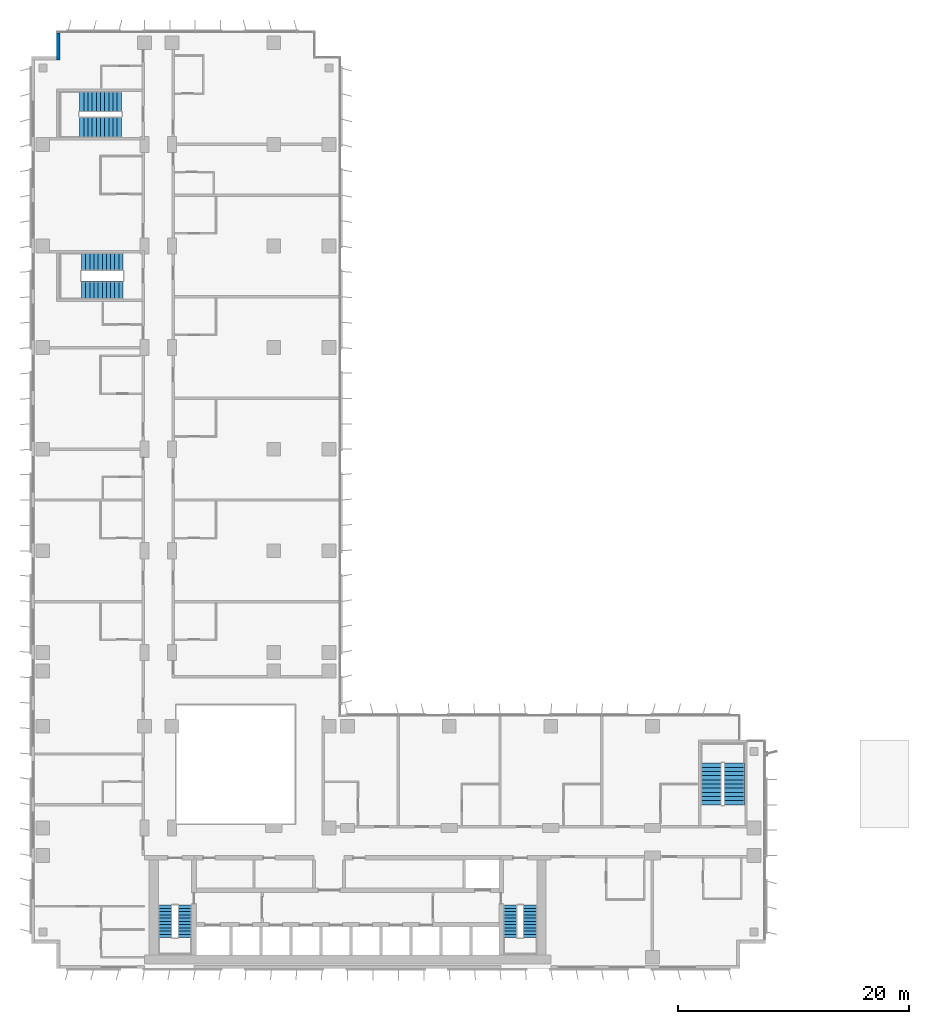
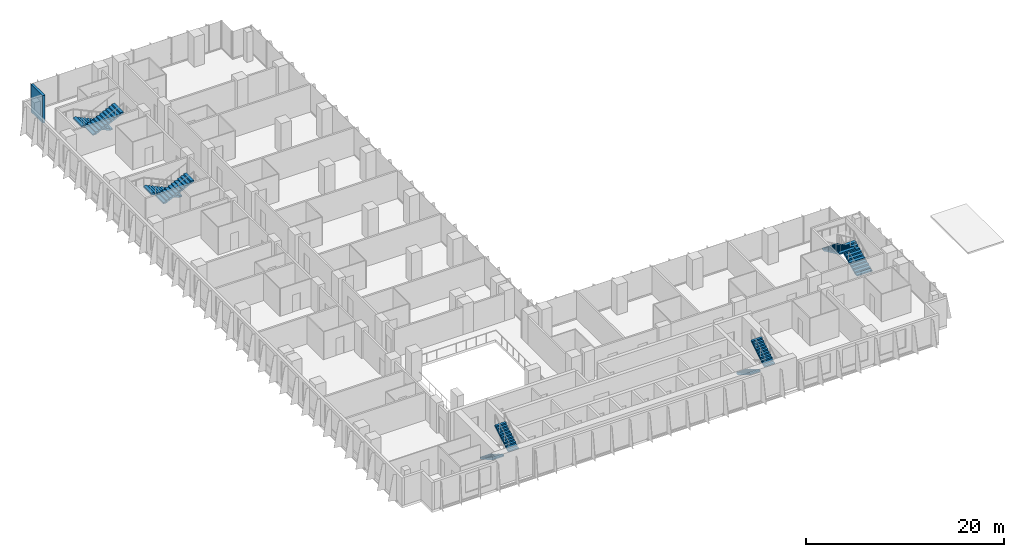
# One storey, part 18 of 22: 10 stair flights, 1 wall, 5 elements without a shape of their own.
"""IFC4 building model written with IfcOpenShell, lengths in metres."""

from ifc_helpers import new_model, si_unit, direction, frame, frame_2d, origin, place, context, subcontext, project, spatial, polyline, rectangle, outline, extrude, material, layer, layer_set, type_object, element, aggregate, save


model = new_model("IFC4")

# Units and contexts
model_context = context("Model", 3, precision=1e-05, world=origin(), true_north=direction((0.0, 1.0)))
body_context = subcontext(model_context, "Body", "Model", "MODEL_VIEW")
ifc_project = project(units=[si_unit("LENGTHUNIT", "METRE"), si_unit("AREAUNIT", "SQUARE_METRE"), si_unit("VOLUMEUNIT", "CUBIC_METRE"), si_unit("PLANEANGLEUNIT", "RADIAN"), si_unit("MASSUNIT", "GRAM", prefix="KILO")], contexts=[model_context])

# Site, building, storey
site_placement = place(None, origin())
site = spatial("IfcSite", under=ifc_project, at=site_placement, CompositionType="ELEMENT")
building_placement = place(site_placement, origin())
building = spatial("IfcBuilding", under=site, at=building_placement, Name="Kemantara Hotel Tower", CompositionType="ELEMENT")
storey_placement = place(building_placement, frame((0.0, 0.0, 87.10009765625)))
storey = spatial("IfcBuildingStorey", under=building, at=storey_placement, Name="L20", CompositionType="ELEMENT", Elevation=87.10009765625)

# Wall
ifc_material_1 = material(Name="Bronze anodised aluminium cladding on insulated steel stud wall", Category="steel")
ifc_layer = layer(ifc_material_1, 0.300048828125)
ifc_layer_set = layer_set([ifc_layer], Name="Bronze anodised aluminium cladding on insulated steel stud wall")
wall_type = type_object("IfcWallType", Name="BRONZE METAL-CLAD EXTERNAL WALL 300", PredefinedType="STANDARD", material=ifc_layer_set)
wall_placement = place(storey_placement, frame((2.35009765625, 81.050048828125, 0.0), z_axis=(0.0, 0.0, 1.0), x_axis=(0.0, -1.0, 0.0)))
element("IfcWall", 1, at=wall_placement, inside=storey, type_object=wall_type, Name="EXTERNAL WALL L20 T2-R02", PredefinedType="STANDARD", context=body_context, shape_type="SweptSolid", body=[
    extrude(rectangle(XDim=2.35009765625, YDim=0.300048828125, at=frame_2d((1.175048828125, 0.0))), origin(), (0.0, 0.0, 1.0), 3.39990234375),
])

# Stair, stair flights
ifc_material_2 = material(Name="Concrete fc 40 MPa", Category="concrete")
stair_type_1 = type_object("IfcStairType", Name="Stair 1200 wide 22 risers of 168 x 280 mm", PredefinedType="HALF_TURN_STAIR", material=ifc_material_2)
stair_1_placement = place(storey_placement, origin())
stair_1 = element("IfcStair", 2, at=stair_1_placement, inside=storey, type_object=stair_type_1, Name="L20 Exit stair ST1", PredefinedType="HALF_TURN_STAIR")
stair_flight_type_1 = type_object("IfcStairFlightType", Name="Stair flight 1200 wide 168 x 280 mm", PredefinedType="STRAIGHT", material=ifc_material_2)
stair_flight_1_placement = place(storey_placement, frame((11.60009765625, 5.5, 0.0), z_axis=(0.0, 0.0, 1.0), x_axis=(0.0, -1.0, 0.0)))
stair_flight_1 = element("IfcStairFlight", 3, at=stair_flight_1_placement, type_object=stair_flight_type_1, Name="ST1 flight 1", NumberOfRisers=11, NumberOfTreads=10, PredefinedType="STRAIGHT", RiserHeight=0.168181818, TreadLength=0.28, context=body_context, shape_type="SweptSolid", body=[
    extrude(outline(polyline([(0.0, 0.0), (0.0, 0.168212890625), (0.280029296875, 0.168212890625), (0.280029296875, 0.33642578125), (0.56005859375, 0.33642578125), (0.56005859375, 0.504638671875), (0.840087890625, 0.504638671875), (0.840087890625, 0.672607421875), (1.1201171875, 0.672607421875), (1.1201171875, 0.8408203125), (1.39990234375, 0.8408203125), (1.39990234375, 1.009033203125), (1.679931640625, 1.009033203125), (1.679931640625, 1.17724609375), (1.9599609375, 1.17724609375), (1.9599609375, 1.345458984375), (2.239990234375, 1.345458984375), (2.239990234375, 1.513671875), (2.52001953125, 1.513671875), (2.52001953125, 1.681884765625), (2.800048828125, 1.681884765625), (2.800048828125, 1.85009765625), (2.800048828125, 1.5068359375), (0.291015625, 0.0), (0.0, 0.0)])), frame((0.0, 0.60009765625, 0.0), z_axis=(0.0, -1.0, 0.0), x_axis=(1.0, 0.0, 0.0)), (0.0, 0.0, 1.0), 1.199951171875),
])
stair_flight_2_placement = place(storey_placement, frame((13.300048828125, 2.699951171875, 1.849853515625), z_axis=(0.0, 0.0, 1.0), x_axis=(0.0, 1.0, 0.0)))
stair_flight_2 = element("IfcStairFlight", 4, at=stair_flight_2_placement, type_object=stair_flight_type_1, Name="ST1 flight 2", NumberOfRisers=11, NumberOfTreads=10, PredefinedType="STRAIGHT", RiserHeight=0.168181818, TreadLength=0.28, context=body_context, shape_type="SweptSolid", body=[
    extrude(outline(polyline([(0.0, 0.0), (0.0, 0.168212890625), (0.280029296875, 0.168212890625), (0.280029296875, 0.33642578125), (0.56005859375, 0.33642578125), (0.56005859375, 0.504638671875), (0.840087890625, 0.504638671875), (0.840087890625, 0.672607421875), (1.1201171875, 0.672607421875), (1.1201171875, 0.8408203125), (1.39990234375, 0.8408203125), (1.39990234375, 1.009033203125), (1.679931640625, 1.009033203125), (1.679931640625, 1.17724609375), (1.9599609375, 1.17724609375), (1.9599609375, 1.345458984375), (2.239990234375, 1.345458984375), (2.239990234375, 1.513671875), (2.52001953125, 1.513671875), (2.52001953125, 1.681884765625), (2.800048828125, 1.681884765625), (2.800048828125, 1.85009765625), (2.800048828125, 1.5068359375), (0.291015625, 0.0), (0.0, 0.0)])), frame((0.0, 0.60009765625, 0.0), z_axis=(0.0, -1.0, 0.0), x_axis=(1.0, 0.0, 0.0)), (0.0, 0.0, 1.0), 1.199951171875),
])
aggregate(stair_1, [stair_flight_1, stair_flight_2])

stair_2_placement = place(storey_placement, origin())
stair_2 = element("IfcStair", 5, at=stair_2_placement, inside=storey, type_object=stair_type_1, Name="L20 Exit stair ST2", PredefinedType="HALF_TURN_STAIR")
stair_flight_3_placement = place(storey_placement, frame((41.5, 5.5, 0.0), z_axis=(0.0, 0.0, 1.0), x_axis=(0.0, -1.0, 0.0)))
stair_flight_3 = element("IfcStairFlight", 6, at=stair_flight_3_placement, type_object=stair_flight_type_1, Name="ST2 flight 1", NumberOfRisers=11, NumberOfTreads=10, PredefinedType="STRAIGHT", RiserHeight=0.168181818, TreadLength=0.28, context=body_context, shape_type="SweptSolid", body=[
    extrude(outline(polyline([(0.0, 0.0), (0.0, 0.168212890625), (0.280029296875, 0.168212890625), (0.280029296875, 0.33642578125), (0.56005859375, 0.33642578125), (0.56005859375, 0.504638671875), (0.840087890625, 0.504638671875), (0.840087890625, 0.672607421875), (1.1201171875, 0.672607421875), (1.1201171875, 0.8408203125), (1.39990234375, 0.8408203125), (1.39990234375, 1.009033203125), (1.679931640625, 1.009033203125), (1.679931640625, 1.17724609375), (1.9599609375, 1.17724609375), (1.9599609375, 1.345458984375), (2.239990234375, 1.345458984375), (2.239990234375, 1.513671875), (2.52001953125, 1.513671875), (2.52001953125, 1.681884765625), (2.800048828125, 1.681884765625), (2.800048828125, 1.85009765625), (2.800048828125, 1.5068359375), (0.291015625, 0.0), (0.0, 0.0)])), frame((0.0, 0.60009765625, 0.0), z_axis=(0.0, -1.0, 0.0), x_axis=(1.0, 0.0, 0.0)), (0.0, 0.0, 1.0), 1.199951171875),
])
stair_flight_4_placement = place(storey_placement, frame((43.199951171875, 2.699951171875, 1.849853515625), z_axis=(0.0, 0.0, 1.0), x_axis=(0.0, 1.0, 0.0)))
stair_flight_4 = element("IfcStairFlight", 7, at=stair_flight_4_placement, type_object=stair_flight_type_1, Name="ST2 flight 2", NumberOfRisers=11, NumberOfTreads=10, PredefinedType="STRAIGHT", RiserHeight=0.168181818, TreadLength=0.28, context=body_context, shape_type="SweptSolid", body=[
    extrude(outline(polyline([(0.0, 0.0), (0.0, 0.168212890625), (0.280029296875, 0.168212890625), (0.280029296875, 0.33642578125), (0.56005859375, 0.33642578125), (0.56005859375, 0.504638671875), (0.840087890625, 0.504638671875), (0.840087890625, 0.672607421875), (1.1201171875, 0.672607421875), (1.1201171875, 0.8408203125), (1.39990234375, 0.8408203125), (1.39990234375, 1.009033203125), (1.679931640625, 1.009033203125), (1.679931640625, 1.17724609375), (1.9599609375, 1.17724609375), (1.9599609375, 1.345458984375), (2.239990234375, 1.345458984375), (2.239990234375, 1.513671875), (2.52001953125, 1.513671875), (2.52001953125, 1.681884765625), (2.800048828125, 1.681884765625), (2.800048828125, 1.85009765625), (2.800048828125, 1.5068359375), (0.291015625, 0.0), (0.0, 0.0)])), frame((0.0, 0.60009765625, 0.0), z_axis=(0.0, -1.0, 0.0), x_axis=(1.0, 0.0, 0.0)), (0.0, 0.0, 1.0), 1.199951171875),
])
aggregate(stair_2, [stair_flight_3, stair_flight_4])

stair_type_2 = type_object("IfcStairType", Name="Stair 1550 wide 22 risers of 168 x 360 mm", PredefinedType="HALF_TURN_STAIR", material=ifc_material_2)
stair_3_placement = place(storey_placement, origin())
stair_3 = element("IfcStair", 8, at=stair_3_placement, inside=storey, type_object=stair_type_2, Name="L20 Exit stair ST4", PredefinedType="HALF_TURN_STAIR")
stair_flight_type_2 = type_object("IfcStairFlightType", Name="Stair flight 1550 wide 168 x 360 mm", PredefinedType="STRAIGHT", material=ifc_material_2)
stair_flight_5_placement = place(storey_placement, frame((7.949951171875, 61.22509765625, 0.0), z_axis=(0.0, 0.0, 1.0), x_axis=(-1.0, 0.0, 0.0)))
stair_flight_5 = element("IfcStairFlight", 9, at=stair_flight_5_placement, type_object=stair_flight_type_2, Name="ST4 flight 1", NumberOfRisers=11, NumberOfTreads=10, PredefinedType="STRAIGHT", RiserHeight=0.168181818, TreadLength=0.36, context=body_context, shape_type="SweptSolid", body=[
    extrude(outline(polyline([(0.0, 0.0), (0.0, 0.168212890625), (0.360107421875, 0.168212890625), (0.360107421875, 0.33642578125), (0.719970703125, 0.33642578125), (0.719970703125, 0.504638671875), (1.080078125, 0.504638671875), (1.080078125, 0.672607421875), (1.43994140625, 0.672607421875), (1.43994140625, 0.8408203125), (1.800048828125, 0.8408203125), (1.800048828125, 1.009033203125), (2.159912109375, 1.009033203125), (2.159912109375, 1.17724609375), (2.52001953125, 1.17724609375), (2.52001953125, 1.345458984375), (2.8798828125, 1.345458984375), (2.8798828125, 1.513671875), (3.239990234375, 1.513671875), (3.239990234375, 1.681884765625), (3.60009765625, 1.681884765625), (3.60009765625, 1.85009765625), (3.60009765625, 1.516357421875), (0.354248046875, 0.0), (0.0, 0.0)])), frame((0.0, 0.77490234375, 0.0), z_axis=(0.0, -1.0, 0.0), x_axis=(1.0, 0.0, 0.0)), (0.0, 0.0, 1.0), 1.550048828125),
])
stair_flight_6_placement = place(storey_placement, frame((4.35009765625, 58.77490234375, 1.849853515625), z_axis=(0.0, 0.0, 1.0), x_axis=(1.0, 0.0, 0.0)))
stair_flight_6 = element("IfcStairFlight", 10, at=stair_flight_6_placement, type_object=stair_flight_type_2, Name="ST4 flight 2", NumberOfRisers=11, NumberOfTreads=10, PredefinedType="STRAIGHT", RiserHeight=0.168181818, TreadLength=0.36, context=body_context, shape_type="SweptSolid", body=[
    extrude(outline(polyline([(0.0, 0.0), (0.0, 0.168212890625), (0.360107421875, 0.168212890625), (0.360107421875, 0.33642578125), (0.719970703125, 0.33642578125), (0.719970703125, 0.504638671875), (1.080078125, 0.504638671875), (1.080078125, 0.672607421875), (1.43994140625, 0.672607421875), (1.43994140625, 0.8408203125), (1.800048828125, 0.8408203125), (1.800048828125, 1.009033203125), (2.159912109375, 1.009033203125), (2.159912109375, 1.17724609375), (2.52001953125, 1.17724609375), (2.52001953125, 1.345458984375), (2.8798828125, 1.345458984375), (2.8798828125, 1.513671875), (3.239990234375, 1.513671875), (3.239990234375, 1.681884765625), (3.60009765625, 1.681884765625), (3.60009765625, 1.85009765625), (3.60009765625, 1.516357421875), (0.354248046875, 0.0), (0.0, 0.0)])), frame((0.0, 0.77490234375, 0.0), z_axis=(0.0, -1.0, 0.0), x_axis=(1.0, 0.0, 0.0)), (0.0, 0.0, 1.0), 1.550048828125),
])
aggregate(stair_3, [stair_flight_5, stair_flight_6])

stair_type_3 = type_object("IfcStairType", Name="Stair 1800 wide 22 risers of 168 x 360 mm", PredefinedType="HALF_TURN_STAIR", material=ifc_material_2)
stair_4_placement = place(storey_placement, origin())
stair_4 = element("IfcStair", 11, at=stair_4_placement, inside=storey, type_object=stair_type_3, Name="L20 Exit stair ST3", PredefinedType="HALF_TURN_STAIR")
stair_flight_type_3 = type_object("IfcStairFlightType", Name="Stair flight 1800 wide 168 x 360 mm", PredefinedType="STRAIGHT", material=ifc_material_2)
stair_flight_7_placement = place(storey_placement, frame((60.89990234375, 14.199951171875, 0.0), z_axis=(0.0, 0.0, 1.0), x_axis=(0.0, 1.0, 0.0)))
stair_flight_7 = element("IfcStairFlight", 12, at=stair_flight_7_placement, type_object=stair_flight_type_3, Name="ST3 flight 1", NumberOfRisers=11, NumberOfTreads=10, PredefinedType="STRAIGHT", RiserHeight=0.168181818, TreadLength=0.36, context=body_context, shape_type="SweptSolid", body=[
    extrude(outline(polyline([(0.0, 0.0), (0.0, 0.168212890625), (0.360107421875, 0.168212890625), (0.360107421875, 0.33642578125), (0.719970703125, 0.33642578125), (0.719970703125, 0.504638671875), (1.080078125, 0.504638671875), (1.080078125, 0.672607421875), (1.43994140625, 0.672607421875), (1.43994140625, 0.8408203125), (1.800048828125, 0.8408203125), (1.800048828125, 1.009033203125), (2.159912109375, 1.009033203125), (2.159912109375, 1.17724609375), (2.52001953125, 1.17724609375), (2.52001953125, 1.345458984375), (2.8798828125, 1.345458984375), (2.8798828125, 1.513671875), (3.239990234375, 1.513671875), (3.239990234375, 1.681884765625), (3.60009765625, 1.681884765625), (3.60009765625, 1.85009765625), (3.60009765625, 1.516357421875), (0.354248046875, 0.0), (0.0, 0.0)])), frame((0.0, 0.89990234375, 0.0), z_axis=(0.0, -1.0, 0.0), x_axis=(1.0, 0.0, 0.0)), (0.0, 0.0, 1.0), 1.800048828125),
])
stair_flight_8_placement = place(storey_placement, frame((58.89990234375, 17.800048828125, 1.849853515625), z_axis=(0.0, 0.0, 1.0), x_axis=(0.0, -1.0, 0.0)))
stair_flight_8 = element("IfcStairFlight", 13, at=stair_flight_8_placement, type_object=stair_flight_type_3, Name="ST3 flight 2", NumberOfRisers=11, NumberOfTreads=10, PredefinedType="STRAIGHT", RiserHeight=0.168181818, TreadLength=0.36, context=body_context, shape_type="SweptSolid", body=[
    extrude(outline(polyline([(0.0, 0.0), (0.0, 0.168212890625), (0.360107421875, 0.168212890625), (0.360107421875, 0.33642578125), (0.719970703125, 0.33642578125), (0.719970703125, 0.504638671875), (1.080078125, 0.504638671875), (1.080078125, 0.672607421875), (1.43994140625, 0.672607421875), (1.43994140625, 0.8408203125), (1.800048828125, 0.8408203125), (1.800048828125, 1.009033203125), (2.159912109375, 1.009033203125), (2.159912109375, 1.17724609375), (2.52001953125, 1.17724609375), (2.52001953125, 1.345458984375), (2.8798828125, 1.345458984375), (2.8798828125, 1.513671875), (3.239990234375, 1.513671875), (3.239990234375, 1.681884765625), (3.60009765625, 1.681884765625), (3.60009765625, 1.85009765625), (3.60009765625, 1.516357421875), (0.354248046875, 0.0), (0.0, 0.0)])), frame((0.0, 0.89990234375, 0.0), z_axis=(0.0, -1.0, 0.0), x_axis=(1.0, 0.0, 0.0)), (0.0, 0.0, 1.0), 1.800048828125),
])
aggregate(stair_4, [stair_flight_7, stair_flight_8])

stair_5_placement = place(storey_placement, origin())
stair_5 = element("IfcStair", 14, at=stair_5_placement, inside=storey, type_object=stair_type_3, Name="L20 Exit stair ST6", PredefinedType="HALF_TURN_STAIR")
stair_flight_9_placement = place(storey_placement, frame((7.800048828125, 75.10009765625, 0.0), z_axis=(0.0, 0.0, 1.0), x_axis=(-1.0, 0.0, 0.0)))
stair_flight_9 = element("IfcStairFlight", 15, at=stair_flight_9_placement, type_object=stair_flight_type_3, Name="ST6 flight 1", NumberOfRisers=11, NumberOfTreads=10, PredefinedType="STRAIGHT", RiserHeight=0.168181818, TreadLength=0.36, context=body_context, shape_type="SweptSolid", body=[
    extrude(outline(polyline([(0.0, 0.0), (0.0, 0.168212890625), (0.360107421875, 0.168212890625), (0.360107421875, 0.33642578125), (0.719970703125, 0.33642578125), (0.719970703125, 0.504638671875), (1.080078125, 0.504638671875), (1.080078125, 0.672607421875), (1.43994140625, 0.672607421875), (1.43994140625, 0.8408203125), (1.800048828125, 0.8408203125), (1.800048828125, 1.009033203125), (2.159912109375, 1.009033203125), (2.159912109375, 1.17724609375), (2.52001953125, 1.17724609375), (2.52001953125, 1.345458984375), (2.8798828125, 1.345458984375), (2.8798828125, 1.513671875), (3.239990234375, 1.513671875), (3.239990234375, 1.681884765625), (3.60009765625, 1.681884765625), (3.60009765625, 1.85009765625), (3.60009765625, 1.516357421875), (0.354248046875, 0.0), (0.0, 0.0)])), frame((0.0, 0.89990234375, 0.0), z_axis=(0.0, -1.0, 0.0), x_axis=(1.0, 0.0, 0.0)), (0.0, 0.0, 1.0), 1.800048828125),
])
stair_flight_10_placement = place(storey_placement, frame((4.199951171875, 72.89990234375, 1.849853515625), z_axis=(0.0, 0.0, 1.0), x_axis=(1.0, 0.0, 0.0)))
stair_flight_10 = element("IfcStairFlight", 16, at=stair_flight_10_placement, type_object=stair_flight_type_3, Name="ST6 flight 2", NumberOfRisers=11, NumberOfTreads=10, PredefinedType="STRAIGHT", RiserHeight=0.168181818, TreadLength=0.36, context=body_context, shape_type="SweptSolid", body=[
    extrude(outline(polyline([(0.0, 0.0), (0.0, 0.168212890625), (0.360107421875, 0.168212890625), (0.360107421875, 0.33642578125), (0.719970703125, 0.33642578125), (0.719970703125, 0.504638671875), (1.080078125, 0.504638671875), (1.080078125, 0.672607421875), (1.43994140625, 0.672607421875), (1.43994140625, 0.8408203125), (1.800048828125, 0.8408203125), (1.800048828125, 1.009033203125), (2.159912109375, 1.009033203125), (2.159912109375, 1.17724609375), (2.52001953125, 1.17724609375), (2.52001953125, 1.345458984375), (2.8798828125, 1.345458984375), (2.8798828125, 1.513671875), (3.239990234375, 1.513671875), (3.239990234375, 1.681884765625), (3.60009765625, 1.681884765625), (3.60009765625, 1.85009765625), (3.60009765625, 1.516357421875), (0.354248046875, 0.0), (0.0, 0.0)])), frame((0.0, 0.89990234375, 0.0), z_axis=(0.0, -1.0, 0.0), x_axis=(1.0, 0.0, 0.0)), (0.0, 0.0, 1.0), 1.800048828125),
])
aggregate(stair_5, [stair_flight_9, stair_flight_10])

save(model, "model.ifc")
